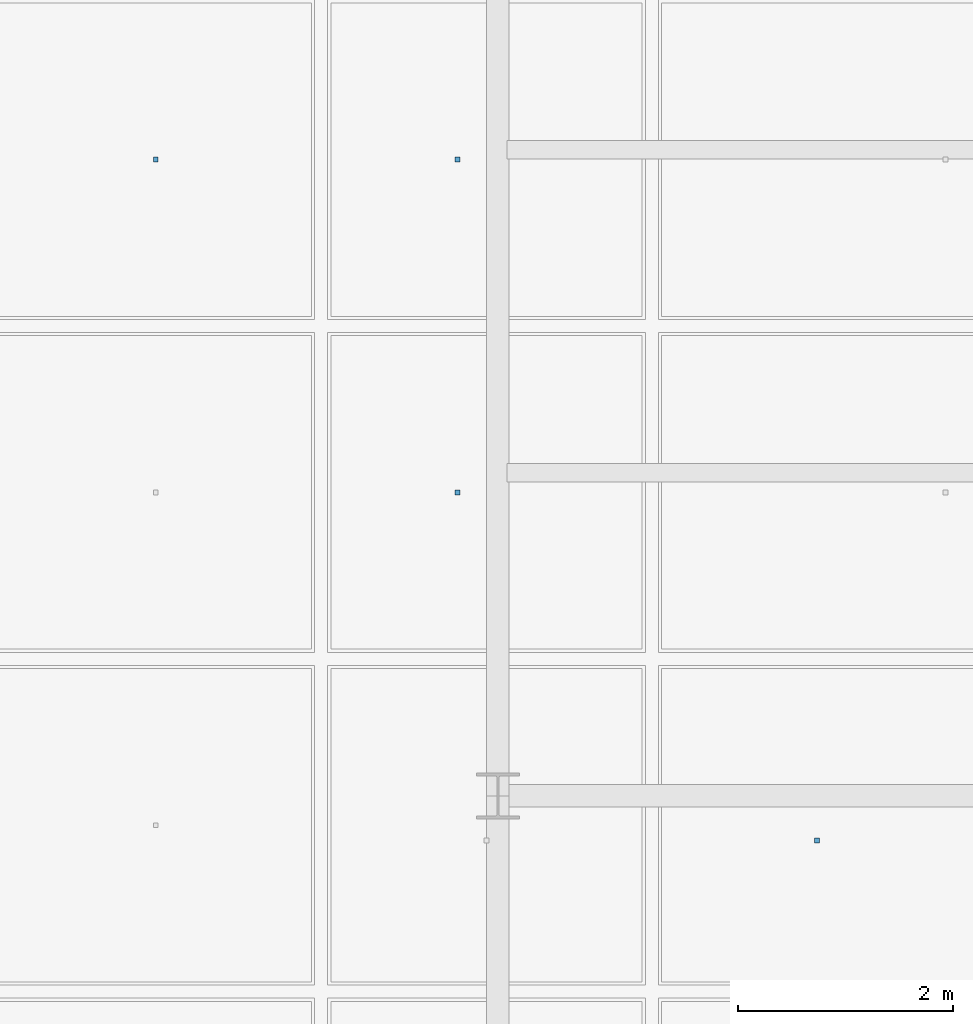
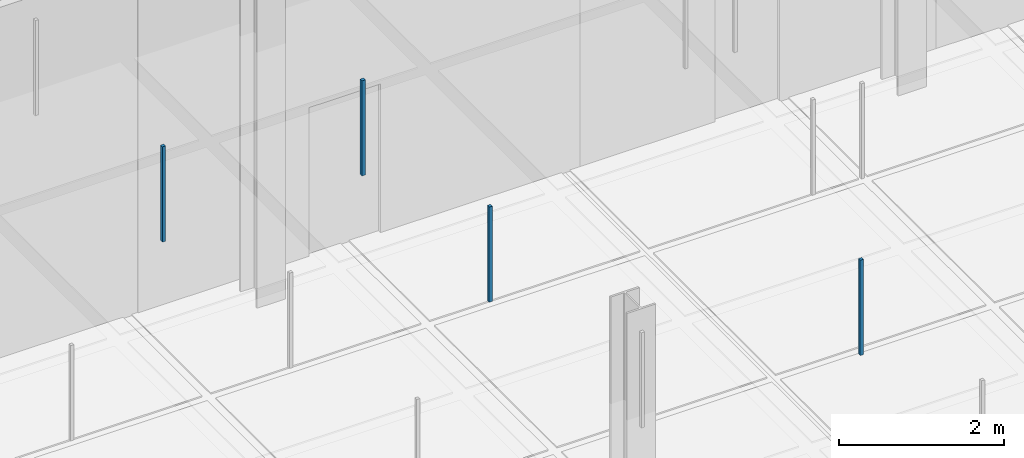
# One storey, part 110 of 180: 4 discrete accessories.
"""IFC4 building model written with IfcOpenShell, lengths in metres."""

from ifc_helpers import new_model, si_unit, direction, frame, origin, origin_2d, place, context, subcontext, project, spatial, rectangle, extrude, material, type_object, element, save


model = new_model("IFC4")

# Units and contexts
model_context = context("Model", 3, precision=1e-05, world=origin(), true_north=direction((0.0, 1.0)))
body_context = subcontext(model_context, "Body", "Model", "MODEL_VIEW")
ifc_project = project(units=[si_unit("LENGTHUNIT", "METRE"), si_unit("AREAUNIT", "SQUARE_METRE"), si_unit("VOLUMEUNIT", "CUBIC_METRE"), si_unit("PLANEANGLEUNIT", "RADIAN"), si_unit("MASSUNIT", "GRAM", prefix="KILO"), si_unit("THERMODYNAMICTEMPERATUREUNIT", "KELVIN"), si_unit("POWERUNIT", "WATT")], contexts=[model_context])

# Site, building, storey
site_placement = place(None, origin())
site = spatial("IfcSite", under=ifc_project, at=site_placement, CompositionType="ELEMENT")
building_placement = place(site_placement, origin())
building = spatial("IfcBuilding", under=site, at=building_placement, Name="Tallowbark Science Centre", CompositionType="ELEMENT")
storey_placement = place(building_placement, origin())
storey = spatial("IfcBuildingStorey", under=building, at=storey_placement, Name="L00", CompositionType="ELEMENT", Elevation=0.0)

# Discrete accessories
ifc_material = material(Name="Galvanised Steel Grade C350L0 (350 MPa)", Category="steel")
discrete_accessory_type = type_object("IfcDiscreteAccessoryType", Name="ACC-CLG-HNG", PredefinedType="BRACKET", material=ifc_material)
for number, where, z_axis, x_axis, name in (
    (1, (73.3212890625, 19.4091796875, 3.8095703125), (0.0, 0.0, 1.0), (1.0, 0.0, 0.0), "Ceiling Hanger Bracket L00-111"),
    (2, (76.12353515625, 16.318115234375, 3.8095703125), (0.0, 0.0, 1.0), (1.0, 0.0, 0.0), "Ceiling Hanger Bracket L00-121"),
    (3, (76.12353515625, 19.4091796875, 3.8095703125), (0.0, 0.0, 1.0), (1.0, 0.0, 0.0), "Ceiling Hanger Bracket L00-122"),
    (4, (79.46435546875, 13.0859375, 3.8095703125), (0.0, 0.0, 1.0), (1.0, 0.0, 0.0), "Ceiling Hanger Bracket L00-131"),
):
    element("IfcDiscreteAccessory", number, at=place(storey_placement, frame(where, z_axis=z_axis, x_axis=x_axis)), inside=storey, type_object=discrete_accessory_type, Name=name, PredefinedType="BRACKET", context=body_context, shape_type="SweptSolid", body=[
        extrude(rectangle(XDim=0.044921875, YDim=0.044921875, at=origin_2d()), origin(), (0.0, 0.0, 1.0), 1.41357421875),
    ])

save(model, "model.ifc")
